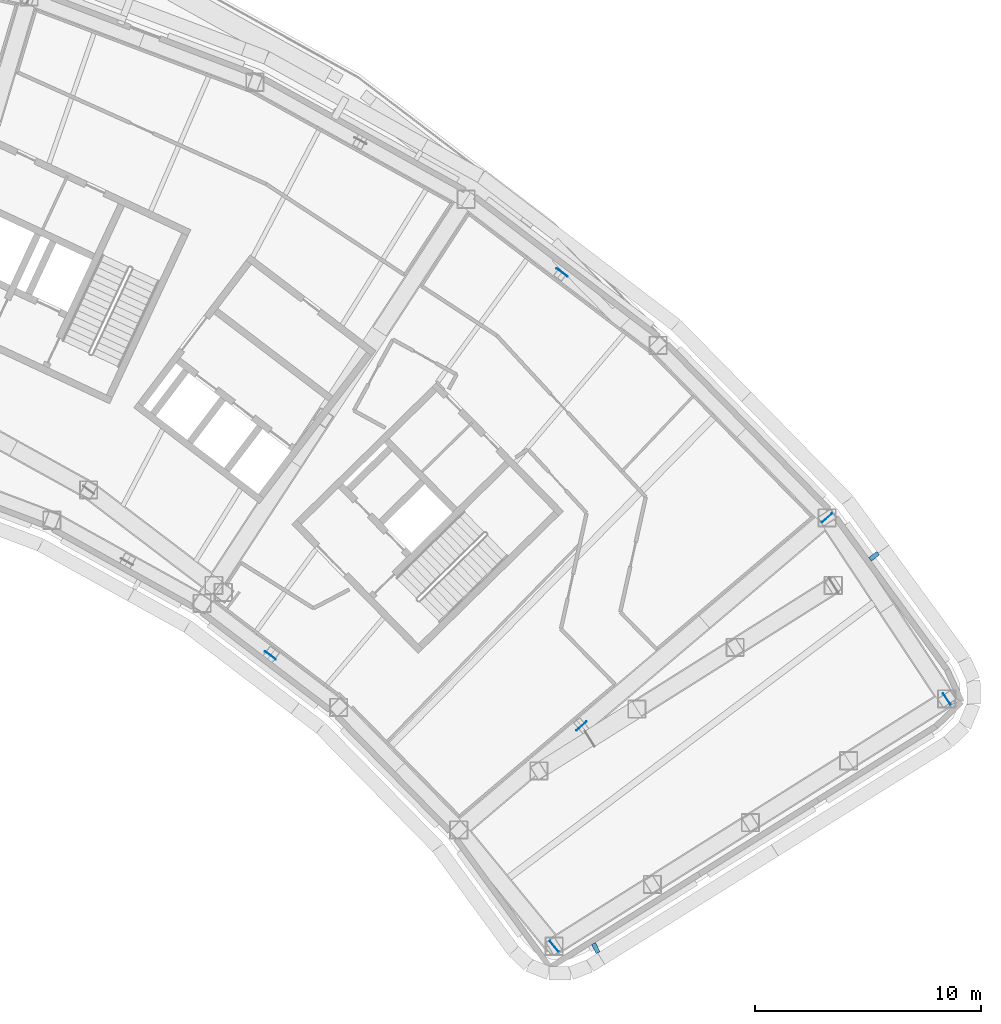
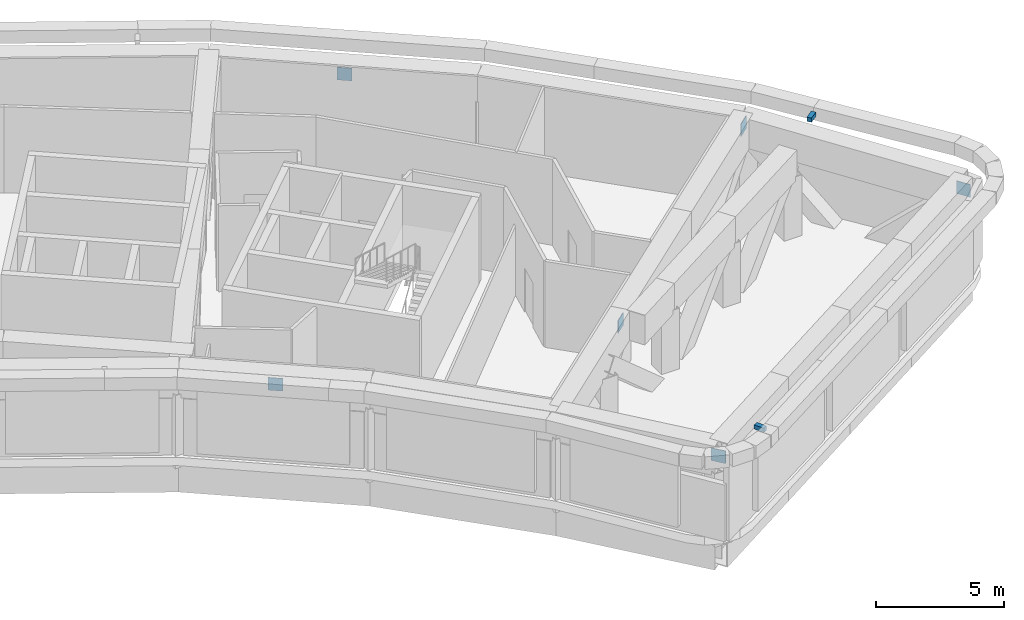
# One storey, part 18 of 24: 8 discrete accessories.
"""IFC4 building model written with IfcOpenShell, lengths in metres."""

from ifc_helpers import new_model, si_unit, direction, frame, origin, origin_2d, place, context, subcontext, project, spatial, rectangle, extrude, material, type_object, element, save


model = new_model("IFC4")

# Units and contexts
model_context = context("Model", 3, precision=1e-05, world=origin(), true_north=direction((0.0, 1.0)))
body_context = subcontext(model_context, "Body", "Model", "MODEL_VIEW")
ifc_project = project(units=[si_unit("LENGTHUNIT", "METRE"), si_unit("AREAUNIT", "SQUARE_METRE"), si_unit("VOLUMEUNIT", "CUBIC_METRE"), si_unit("PLANEANGLEUNIT", "RADIAN"), si_unit("MASSUNIT", "GRAM", prefix="KILO")], contexts=[model_context])

# Site, building, storey
site_placement = place(None, origin())
site = spatial("IfcSite", under=ifc_project, at=site_placement, CompositionType="ELEMENT")
building_placement = place(site_placement, origin())
building = spatial("IfcBuilding", under=site, at=building_placement, Name="Tuul Gate Civic Tower", CompositionType="ELEMENT")
storey_placement = place(building_placement, frame((0.0, 0.0, 94.800048828125)))
storey = spatial("IfcBuildingStorey", under=building, at=storey_placement, Name="Plant and refuge floor 3", CompositionType="ELEMENT", Elevation=94.800048828125)

# Discrete accessories
ifc_material_1 = material(Name="Steel S355", Category="steel")
discrete_accessory_type_1 = type_object("IfcDiscreteAccessoryType", Name="Gusset plate", PredefinedType="BRACKET", material=ifc_material_1)
for number, where, z_axis, x_axis, name in (
    (1, (66.20166015625, -12.428955078125, 3.10302734375), (0.0, 0.0, 1.0), (-0.76282474496, -0.646605295738, 0.0), "Gusset plate"),
    (2, (55.34033203125, -21.635009765625, 3.1025390625), (0.0, 0.0, 1.0), (0.76282474496, 0.646605295738, 0.0), "Gusset plate"),
    (3, (54.478515625, -1.570068359375, 3.10302734375), (0.0, 0.0, 1.0), (0.795629478909, -0.605783568852, 0.0), "Gusset plate"),
    (4, (71.502685546875, -20.442626953125, 3.103271484375), (0.0, 0.0, 1.0), (-0.551597524527, 0.834110406922, 0.0), "Gusset plate"),
    (5, (41.575439453125, -18.517578125, 3.103759765625), (0.0, 0.0, 1.0), (-0.795664473939, 0.60573760401, 0.0), "Gusset plate"),
    (6, (54.129638671875, -31.382568359375, 3.10302734375), (0.0, 0.0, 1.0), (-0.634399544235, 0.773005315813, 0.0), "Gusset plate"),
):
    element("IfcDiscreteAccessory", number, at=place(storey_placement, frame(where, z_axis=z_axis, x_axis=x_axis)), inside=storey, type_object=discrete_accessory_type_1, Name=name, PredefinedType="BRACKET", context=body_context, shape_type="SweptSolid", body=[
        extrude(rectangle(XDim=0.60009765625, YDim=0.030029296875, at=origin_2d()), origin(), (0.0, 0.0, 1.0), 0.60009765625),
    ])
ifc_material_2 = material(Name="Stainless steel", Category="steel")
discrete_accessory_type_2 = type_object("IfcDiscreteAccessoryType", Name="Screen bracket", PredefinedType="BRACKET", material=ifc_material_2)
discrete_accessory_1_placement = place(storey_placement, frame((68.281005859375, -14.13330078125, 4.0498046875), z_axis=(0.0, 0.0, 1.0), x_axis=(0.796415939626, 0.604749246473, 0.0)))
element("IfcDiscreteAccessory", 7, at=discrete_accessory_1_placement, inside=storey, type_object=discrete_accessory_type_2, Name="Screen bracket 1", PredefinedType="BRACKET", context=body_context, shape_type="SweptSolid", body=[
    extrude(rectangle(XDim=0.4501953125, YDim=0.199951171875, at=origin_2d()), origin(), (0.0, 0.0, 1.0), 0.199951171875),
])
discrete_accessory_2_placement = place(storey_placement, frame((55.974609375, -31.465087890625, 4.0498046875), z_axis=(0.0, 0.0, 1.0), x_axis=(0.453634345645, -0.891187904121, 0.0)))
element("IfcDiscreteAccessory", 8, at=discrete_accessory_2_placement, inside=storey, type_object=discrete_accessory_type_2, Name="Screen bracket 31", PredefinedType="BRACKET", context=body_context, shape_type="SweptSolid", body=[
    extrude(rectangle(XDim=0.45166015625, YDim=0.199951171875, at=origin_2d()), origin(), (0.0, 0.0, 1.0), 0.199951171875),
])

save(model, "model.ifc")
